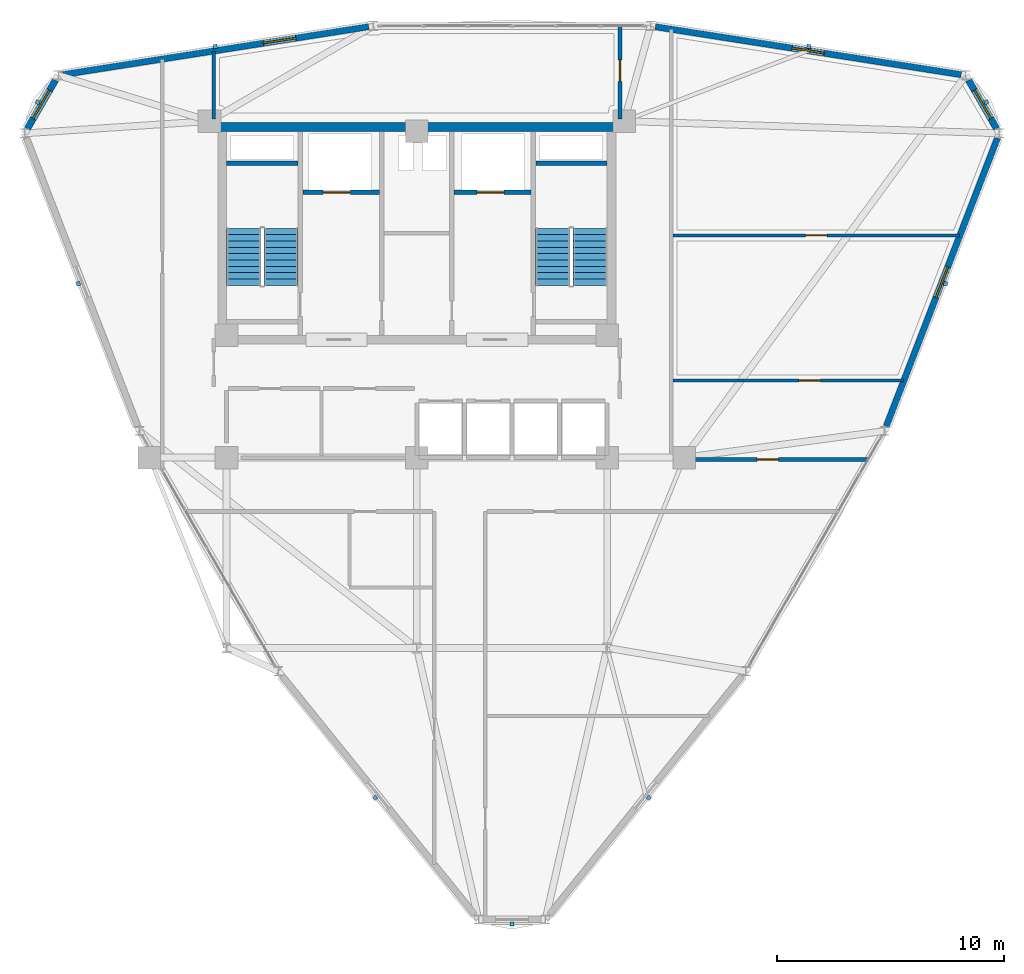
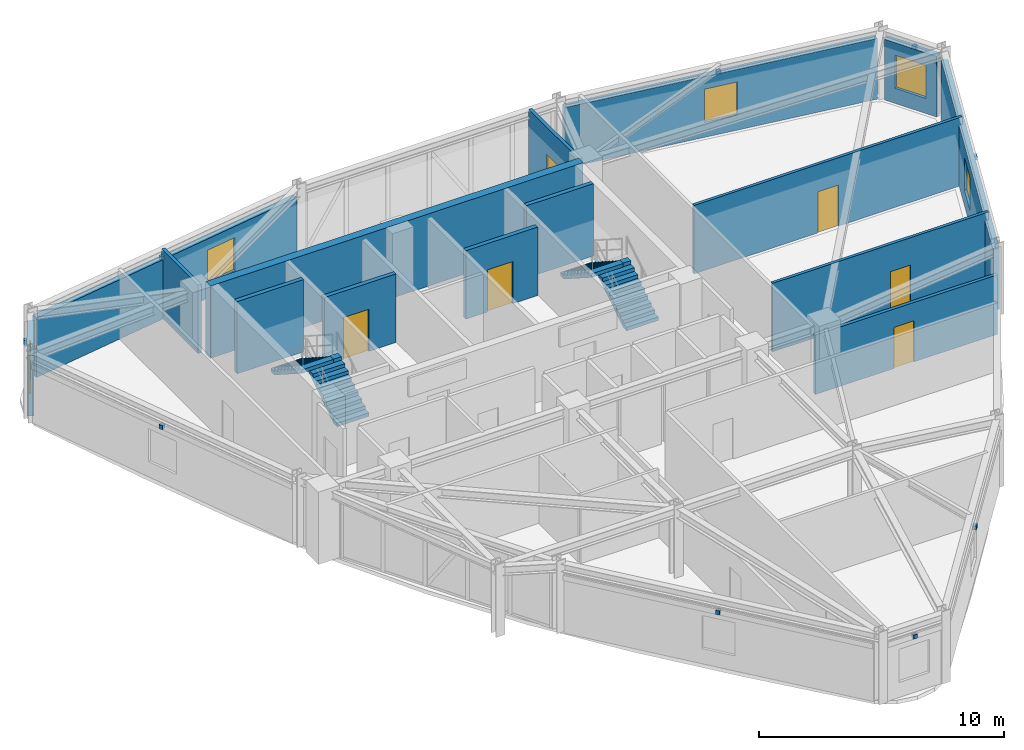
# One storey, part 14 of 16: 15 walls, 9 discrete accessories, 6 doors, 5 windows, 4 stair flights, 11 openings, 2 elements without a shape of their own.
"""IFC4 building model written with IfcOpenShell, lengths in metres."""

from ifc_helpers import new_model, si_unit, derived_unit, direction, frame, frame_2d, origin, origin_2d, place, context, subcontext, project, spatial, polyline, rectangle, outline, extrude, source, transform, mapped, material, layer, layer_set, type_object, element, fill, aggregate, save


model = new_model("IFC4")

# Units and contexts
model_context = context("Model", 3, precision=1e-05, world=origin(), true_north=direction((0.0, 1.0)))
body_context = subcontext(model_context, "Body", "Model", "MODEL_VIEW")
ifc_project = project(units=[si_unit("LENGTHUNIT", "METRE"), si_unit("AREAUNIT", "SQUARE_METRE"), si_unit("VOLUMEUNIT", "CUBIC_METRE"), si_unit("PLANEANGLEUNIT", "RADIAN"), si_unit("MASSUNIT", "GRAM", prefix="KILO"), derived_unit("THERMALTRANSMITTANCEUNIT", [(si_unit("POWERUNIT", "WATT"), 1), (si_unit("LENGTHUNIT", "METRE"), -2), (si_unit("THERMODYNAMICTEMPERATUREUNIT", "KELVIN"), -1)])], contexts=[model_context])

# Site, building, storey
site_placement = place(None, origin())
site = spatial("IfcSite", under=ifc_project, at=site_placement, CompositionType="ELEMENT")
building_placement = place(site_placement, origin())
building = spatial("IfcBuilding", under=site, at=building_placement, Name="Korsvarv Bourse and Concert Hall", CompositionType="ELEMENT")
storey_placement = place(building_placement, frame((0.0, 0.0, 220.199951171875)))
storey = spatial("IfcBuildingStorey", under=building, at=storey_placement, Name="L57", CompositionType="ELEMENT", Elevation=220.199951171875)

# Walls
ifc_material_1 = material(Name="Concrete C50/60", Category="concrete")
ifc_layer_1 = layer(ifc_material_1, 0.3798828125)
ifc_layer_set_1 = layer_set([ifc_layer_1], Name="Concrete C50/60")
wall_type_1 = type_object("IfcWallType", Name="WL-CORE-380", PredefinedType="SHEAR", material=ifc_layer_set_1)
wall_1_placement = place(storey_placement, frame((27.219970703125, 46.989990234375, 0.0), z_axis=(0.0, 0.0, 1.0), x_axis=(1.0, 0.0, 0.0)))
element("IfcWall", 1, at=wall_1_placement, inside=storey, type_object=wall_type_1, Name="L57 North Core Shear Wall", PredefinedType="SHEAR", context=body_context, shape_type="SweptSolid", body=[
    extrude(rectangle(XDim=17.56005859375, YDim=0.3798828125, at=frame_2d((8.780029296875, 0.0))), origin(), (0.0, 0.0, 1.0), 3.60009765625),
])
for number, where, z_axis, x_axis, name in (
    (2, (27.610107421875, 45.39990234375, 0.0), (0.0, 0.0, 1.0), (1.0, 0.0, 0.0), "L57 stair shaft structural wall W-L57-ST1-N"),
    (3, (41.25, 45.39990234375, 0.0), (0.0, 0.0, 1.0), (1.0, 0.0, 0.0), "L57 stair shaft structural wall W-L57-ST2-N"),
):
    element("IfcWall", number, at=place(storey_placement, frame(where, z_axis=z_axis, x_axis=x_axis)), inside=storey, type_object=wall_type_1, Name=name, PredefinedType="SHEAR", context=body_context, shape_type="SweptSolid", body=[
        extrude(rectangle(XDim=3.139892578125, YDim=0.199951171875, at=frame_2d((1.56982421875, 0.0))), origin(), (0.0, 0.0, 1.0), 3.60009765625),
    ])

# Wall, opening, window
ifc_material_2 = material(Name="Precast concrete C45/55 with terracotta rainscreen", Category="concrete")
ifc_layer_2 = layer(ifc_material_2, 0.300048828125)
ifc_layer_set_2 = layer_set([ifc_layer_2], Name="Precast concrete C45/55 with terracotta rainscreen")
wall_type_2 = type_object("IfcWallType", Name="WL-EXT-TC1", PredefinedType="SOLIDWALL", material=ifc_layer_set_2)
wall_2_placement = place(storey_placement, frame((61.583984375, 46.92138671875, 0.0), z_axis=(0.0, 0.0, 1.0), x_axis=(-0.499990780478, 0.866030726613, 0.0)))
wall_2 = element("IfcWall", 4, at=wall_2_placement, inside=storey, type_object=wall_type_2, Name="L57 terracotta exterior wall EW-L57-B01", PredefinedType="SOLIDWALL", context=body_context, shape_type="SweptSolid", body=[
    extrude(rectangle(XDim=2.4677734375, YDim=0.300048828125, at=frame_2d((1.23388671875, 0.0))), origin(), (0.0, 0.0, 1.0), 3.02001953125),
])
opening_1_placement = place(wall_2_placement, frame((0.5087890625, 0.0, 0.75)))
opening_1 = element("IfcOpeningElement", 5, at=opening_1_placement, cuts=wall_2, Name="Opening W-02", PredefinedType="OPENING", context=body_context, shape_type="SweptSolid", body=[
    extrude(rectangle(XDim=1.449951171875, YDim=1.64990234375, at=frame_2d((0.72509765625, 0.824951171875))), frame((0.0, 0.16015625, 0.0), z_axis=(0.0, -1.0, 0.0), x_axis=(1.0, 0.0, 0.0)), (0.0, 0.0, 1.0), 0.320068359375),
])
ifc_material_3 = material(Name="Thermally broken aluminium frame with triple low-E glass", Category="glass")
window_type = type_object("IfcWindowType", Name="WIN-TW2", PartitioningType="SINGLE_PANEL", PredefinedType="WINDOW", material=ifc_material_3)
window_1_placement = place(opening_1_placement, origin())
window_1 = element("IfcWindow", 6, at=window_1_placement, inside=storey, type_object=window_type, Name="L57 punched facade window W-02", OverallHeight=1.64990234375, OverallWidth=1.449951171875, PartitioningType="SINGLE_PANEL", PredefinedType="WINDOW", context=body_context, shape_type="SweptSolid", body=[
    extrude(rectangle(XDim=1.449951171875, YDim=1.64990234375, at=frame_2d((0.72509765625, 0.824951171875))), frame((0.0, 0.030029296875, 0.0), z_axis=(0.0, -1.0, 0.0), x_axis=(1.0, 0.0, 0.0)), (0.0, 0.0, 1.0), 0.06005859375),
])
fill(opening_1, window_1)

wall_3_placement = place(storey_placement, frame((20.0498046875, 49.05859375, 0.0), z_axis=(0.0, 0.0, 1.0), x_axis=(-0.499990780478, -0.866030726613, 0.0)))
wall_3 = element("IfcWall", 7, at=wall_3_placement, inside=storey, type_object=wall_type_2, Name="L57 terracotta exterior wall EW-L57-B05", PredefinedType="SOLIDWALL", context=body_context, shape_type="SweptSolid", body=[
    extrude(rectangle(XDim=2.4677734375, YDim=0.300048828125, at=frame_2d((1.23388671875, 0.0))), origin(), (0.0, 0.0, 1.0), 3.02001953125),
])
opening_2_placement = place(wall_3_placement, frame((0.5087890625, 0.0, 0.75)))
opening_2 = element("IfcOpeningElement", 8, at=opening_2_placement, cuts=wall_3, Name="Opening W-02", PredefinedType="OPENING", context=body_context, shape_type="SweptSolid", body=[
    extrude(rectangle(XDim=1.449951171875, YDim=1.64990234375, at=frame_2d((0.72509765625, 0.824951171875))), frame((0.0, 0.16015625, 0.0), z_axis=(0.0, -1.0, 0.0), x_axis=(1.0, 0.0, 0.0)), (0.0, 0.0, 1.0), 0.320068359375),
])
window_2_placement = place(opening_2_placement, origin())
window_2 = element("IfcWindow", 9, at=window_2_placement, inside=storey, type_object=window_type, Name="L57 punched facade window W-02", OverallHeight=1.64990234375, OverallWidth=1.449951171875, PartitioningType="SINGLE_PANEL", PredefinedType="WINDOW", context=body_context, shape_type="SweptSolid", body=[
    extrude(rectangle(XDim=1.449951171875, YDim=1.64990234375, at=frame_2d((0.72509765625, 0.824951171875))), frame((0.0, 0.030029296875, 0.0), z_axis=(0.0, -1.0, 0.0), x_axis=(1.0, 0.0, 0.0)), (0.0, 0.0, 1.0), 0.06005859375),
])
fill(opening_2, window_2)

ifc_material_4 = material(Name="Precast concrete C45/55 with fluted terracotta pier", Category="concrete")
ifc_layer_3 = layer(ifc_material_4, 0.280029296875)
ifc_layer_set_3 = layer_set([ifc_layer_3], Name="Precast concrete C45/55 with fluted terracotta pier")
wall_type_3 = type_object("IfcWallType", Name="WL-EXT-TC2", PredefinedType="SOLIDWALL", material=ifc_layer_set_3)
wall_4_placement = place(storey_placement, frame((60.019287109375, 49.30419921875, 0.0), z_axis=(0.0, 0.0, 1.0), x_axis=(-0.987957437721, 0.154725890697, 0.0)))
wall_4 = element("IfcWall", 10, at=wall_4_placement, inside=storey, type_object=wall_type_3, Name="L57 terracotta exterior wall EW-L57-B02", PredefinedType="SOLIDWALL", context=body_context, shape_type="SweptSolid", body=[
    extrude(rectangle(XDim=13.65673828125, YDim=0.280029296875, at=frame_2d((6.828369140625, 0.0))), origin(), (0.0, 0.0, 1.0), 3.02001953125),
])
opening_3_placement = place(wall_4_placement, frame((6.103271484375, 0.0, 0.75)))
opening_3 = element("IfcOpeningElement", 11, at=opening_3_placement, cuts=wall_4, Name="Opening W-02", PredefinedType="OPENING", context=body_context, shape_type="SweptSolid", body=[
    extrude(rectangle(XDim=1.449951171875, YDim=1.64990234375, at=frame_2d((0.72509765625, 0.824951171875))), frame((0.0, 0.14990234375, 0.0), z_axis=(0.0, -1.0, 0.0), x_axis=(1.0, 0.0, 0.0)), (0.0, 0.0, 1.0), 0.300048828125),
])
window_3_placement = place(opening_3_placement, origin())
window_3 = element("IfcWindow", 12, at=window_3_placement, inside=storey, type_object=window_type, Name="L57 punched facade window W-02", OverallHeight=1.64990234375, OverallWidth=1.449951171875, PartitioningType="SINGLE_PANEL", PredefinedType="WINDOW", context=body_context, shape_type="SweptSolid", body=[
    extrude(rectangle(XDim=1.449951171875, YDim=1.64990234375, at=frame_2d((0.72509765625, 0.824951171875))), frame((0.0, 0.030029296875, 0.0), z_axis=(0.0, -1.0, 0.0), x_axis=(1.0, 0.0, 0.0)), (0.0, 0.0, 1.0), 0.06005859375),
])
fill(opening_3, window_3)

wall_5_placement = place(storey_placement, frame((33.873046875, 51.417236328125, 0.0), z_axis=(0.0, 0.0, 1.0), x_axis=(-0.987957437721, -0.154725890697, 0.0)))
wall_5 = element("IfcWall", 13, at=wall_5_placement, inside=storey, type_object=wall_type_3, Name="L57 terracotta exterior wall EW-L57-B04", PredefinedType="SOLIDWALL", context=body_context, shape_type="SweptSolid", body=[
    extrude(rectangle(XDim=13.65673828125, YDim=0.280029296875, at=frame_2d((6.828369140625, 0.0))), origin(), (0.0, 0.0, 1.0), 2.9599609375),
])
opening_4_placement = place(wall_5_placement, frame((3.251708984375, 0.0, 0.75)))
opening_4 = element("IfcOpeningElement", 14, at=opening_4_placement, cuts=wall_5, Name="Opening W-02", PredefinedType="OPENING", context=body_context, shape_type="SweptSolid", body=[
    extrude(rectangle(XDim=1.449951171875, YDim=1.64990234375, at=frame_2d((0.72509765625, 0.824951171875))), frame((0.0, 0.14990234375, 0.0), z_axis=(0.0, -1.0, 0.0), x_axis=(1.0, 0.0, 0.0)), (0.0, 0.0, 1.0), 0.300048828125),
])
window_4_placement = place(opening_4_placement, origin())
window_4 = element("IfcWindow", 15, at=window_4_placement, inside=storey, type_object=window_type, Name="L57 punched facade window W-02", OverallHeight=1.64990234375, OverallWidth=1.449951171875, PartitioningType="SINGLE_PANEL", PredefinedType="WINDOW", context=body_context, shape_type="SweptSolid", body=[
    extrude(rectangle(XDim=1.449951171875, YDim=1.64990234375, at=frame_2d((0.72509765625, 0.824951171875))), frame((0.0, 0.030029296875, 0.0), z_axis=(0.0, -1.0, 0.0), x_axis=(1.0, 0.0, 0.0)), (0.0, 0.0, 1.0), 0.06005859375),
])
fill(opening_4, window_4)

wall_6_placement = place(storey_placement, frame((56.7216796875, 33.787109375, 0.0), z_axis=(0.0, 0.0, 1.0), x_axis=(0.359972142588, 0.932963052088, 0.0)))
wall_6 = element("IfcWall", 16, at=wall_6_placement, inside=storey, type_object=wall_type_3, Name="L57 terracotta exterior wall EW-L57-B12", PredefinedType="SOLIDWALL", context=body_context, shape_type="SweptSolid", body=[
    extrude(rectangle(XDim=13.621337890625, YDim=0.280029296875, at=frame_2d((6.810546875, 0.0))), origin(), (0.0, 0.0, 1.0), 3.02001953125),
])
opening_5_placement = place(wall_6_placement, frame((6.085693359375, 0.0, 0.75)))
opening_5 = element("IfcOpeningElement", 17, at=opening_5_placement, cuts=wall_6, Name="Opening W-02", PredefinedType="OPENING", context=body_context, shape_type="SweptSolid", body=[
    extrude(rectangle(XDim=1.449951171875, YDim=1.64990234375, at=frame_2d((0.72509765625, 0.824951171875))), frame((0.0, 0.14990234375, 0.0), z_axis=(0.0, -1.0, 0.0), x_axis=(1.0, 0.0, 0.0)), (0.0, 0.0, 1.0), 0.300048828125),
])
window_5_placement = place(opening_5_placement, origin())
window_5 = element("IfcWindow", 18, at=window_5_placement, inside=storey, type_object=window_type, Name="L57 punched facade window W-02", OverallHeight=1.64990234375, OverallWidth=1.449951171875, PartitioningType="SINGLE_PANEL", PredefinedType="WINDOW", context=body_context, shape_type="SweptSolid", body=[
    extrude(rectangle(XDim=1.449951171875, YDim=1.64990234375, at=frame_2d((0.72509765625, 0.824951171875))), frame((0.0, 0.030029296875, 0.0), z_axis=(0.0, -1.0, 0.0), x_axis=(1.0, 0.0, 0.0)), (0.0, 0.0, 1.0), 0.06005859375),
])
fill(opening_5, window_5)

# Wall, opening, door
ifc_material_5 = material(Name="Reinforced concrete blockwork C35/45 fire wall", Category="concrete")
ifc_layer_4 = layer(ifc_material_5, 0.199951171875)
ifc_layer_set_4 = layer_set([ifc_layer_4], Name="Reinforced concrete blockwork C35/45 fire wall")
wall_type_4 = type_object("IfcWallType", Name="WL-INT-EI120", PredefinedType="PARTITIONING", material=ifc_layer_set_4)
wall_7_placement = place(storey_placement, frame((30.969970703125, 44.10009765625, 0.0), z_axis=(0.0, 0.0, 1.0), x_axis=(1.0, 0.0, 0.0)))
wall_7 = element("IfcWall", 19, at=wall_7_placement, inside=storey, type_object=wall_type_4, Name="L57 interior partition wall W-L57-FF1-S", PredefinedType="PARTITIONING", context=body_context, shape_type="SweptSolid", body=[
    extrude(rectangle(XDim=3.380126953125, YDim=0.199951171875, at=frame_2d((1.68994140625, 0.0))), origin(), (0.0, 0.0, 1.0), 3.41015625),
])
opening_6_placement = place(wall_7_placement, frame((0.89990234375, 0.0, 0.0)))
opening_6 = element("IfcOpeningElement", 20, at=opening_6_placement, cuts=wall_7, Name="Opening LD-1", PredefinedType="OPENING", context=body_context, shape_type="SweptSolid", body=[
    extrude(rectangle(XDim=1.199951171875, YDim=2.10009765625, at=frame_2d((0.60009765625, 1.050048828125))), frame((0.0, 0.10986328125, 0.0), z_axis=(0.0, -1.0, 0.0), x_axis=(1.0, 0.0, 0.0)), (0.0, 0.0, 1.0), 0.219970703125),
])
ifc_material_6 = material(Name="Stainless Steel S355 firefighting lift landing door", Category="steel")
door_type_1 = type_object("IfcDoorType", Name="DR-LIFT-FF", OperationType="DOUBLE_DOOR_SLIDING", PredefinedType="DOOR", material=ifc_material_6)
door_1_placement = place(opening_6_placement, origin())
door_1 = element("IfcDoor", 21, at=door_1_placement, inside=storey, type_object=door_type_1, Name="L57 lift sliding landing door LD-L57-FF1", OperationType="DOUBLE_DOOR_SLIDING", OverallHeight=2.10009765625, OverallWidth=1.199951171875, PredefinedType="DOOR", context=body_context, shape_type="SweptSolid", body=[
    extrude(rectangle(XDim=1.199951171875, YDim=2.10009765625, at=frame_2d((0.60009765625, 1.050048828125))), frame((0.0, 0.02490234375, 0.0), z_axis=(0.0, -1.0, 0.0), x_axis=(1.0, 0.0, 0.0)), (0.0, 0.0, 1.0), 0.050048828125),
])
fill(opening_6, door_1)

wall_8_placement = place(storey_placement, frame((37.64990234375, 44.10009765625, 0.0), z_axis=(0.0, 0.0, 1.0), x_axis=(1.0, 0.0, 0.0)))
wall_8 = element("IfcWall", 22, at=wall_8_placement, inside=storey, type_object=wall_type_4, Name="L57 interior partition wall W-L57-FF2-S", PredefinedType="PARTITIONING", context=body_context, shape_type="SweptSolid", body=[
    extrude(rectangle(XDim=3.380126953125, YDim=0.199951171875, at=frame_2d((1.68994140625, 0.0))), origin(), (0.0, 0.0, 1.0), 3.41015625),
])
opening_7_placement = place(wall_8_placement, frame((1.0, 0.0, 0.0)))
opening_7 = element("IfcOpeningElement", 23, at=opening_7_placement, cuts=wall_8, Name="Opening LD-1", PredefinedType="OPENING", context=body_context, shape_type="SweptSolid", body=[
    extrude(rectangle(XDim=1.199951171875, YDim=2.10009765625, at=frame_2d((0.60009765625, 1.050048828125))), frame((0.0, 0.10986328125, 0.0), z_axis=(0.0, -1.0, 0.0), x_axis=(1.0, 0.0, 0.0)), (0.0, 0.0, 1.0), 0.219970703125),
])
door_2_placement = place(opening_7_placement, origin())
door_2 = element("IfcDoor", 24, at=door_2_placement, inside=storey, type_object=door_type_1, Name="L57 lift sliding landing door LD-L57-FF2", OperationType="DOUBLE_DOOR_SLIDING", OverallHeight=2.10009765625, OverallWidth=1.199951171875, PredefinedType="DOOR", context=body_context, shape_type="SweptSolid", body=[
    extrude(rectangle(XDim=1.199951171875, YDim=2.10009765625, at=frame_2d((0.60009765625, 1.050048828125))), frame((0.0, 0.02490234375, 0.0), z_axis=(0.0, -1.0, 0.0), x_axis=(1.0, 0.0, 0.0)), (0.0, 0.0, 1.0), 0.050048828125),
])
fill(opening_7, door_2)

ifc_material_7 = material(Name="Double-stud fire-rated acoustic partition", Category="gypsum")
ifc_layer_5 = layer(ifc_material_7, 0.159912109375)
ifc_layer_set_5 = layer_set([ifc_layer_5], Name="Double-stud fire-rated acoustic partition")
wall_type_5 = type_object("IfcWallType", Name="WL-INT-EI60", PredefinedType="PARTITIONING", material=ifc_layer_set_5)
wall_9_placement = place(storey_placement, frame((47.306884765625, 32.31494140625, 0.0), z_axis=(0.0, 0.0, 1.0), x_axis=(1.0, 0.0, 0.0)))
wall_9 = element("IfcWall", 25, at=wall_9_placement, inside=storey, type_object=wall_type_5, Name="L57 interior partition wall W-L57-TCOR-07", PredefinedType="PARTITIONING", context=body_context, shape_type="SweptSolid", body=[
    extrude(rectangle(XDim=8.585693359375, YDim=0.159912109375, at=frame_2d((4.29296875, 0.0))), origin(), (0.0, 0.0, 1.0), 2.9599609375),
])
opening_8_placement = place(wall_9_placement, frame((3.6982421875, 0.0, 0.0)))
opening_8 = element("IfcOpeningElement", 26, at=opening_8_placement, cuts=wall_9, Name="Opening D-02", PredefinedType="OPENING", context=body_context, shape_type="SweptSolid", body=[
    extrude(rectangle(XDim=0.949951171875, YDim=2.050048828125, at=frame_2d((0.47509765625, 1.02490234375))), frame((0.0, 0.08984375, 0.0), z_axis=(0.0, -1.0, 0.0), x_axis=(1.0, 0.0, 0.0)), (0.0, 0.0, 1.0), 0.179931640625),
])
ifc_material_8 = material(Name="Timber and steel acoustic fire door", Category="wood")
door_type_2 = type_object("IfcDoorType", Name="DR-FD30", OperationType="NOTDEFINED", PredefinedType="DOOR", material=ifc_material_8)
door_3_placement = place(opening_8_placement, origin())
door_3 = element("IfcDoor", 27, at=door_3_placement, inside=storey, type_object=door_type_2, Name="L57 interior door DR-L57-TCOR-EC31", OperationType="SINGLE_SWING_LEFT", OverallHeight=2.050048828125, OverallWidth=0.949951171875, PredefinedType="DOOR", context=body_context, shape_type="SweptSolid", body=[
    extrude(rectangle(XDim=0.949951171875, YDim=2.050048828125, at=frame_2d((0.47509765625, 1.02490234375))), frame((0.0, 0.02490234375, 0.0), z_axis=(0.0, -1.0, 0.0), x_axis=(1.0, 0.0, 0.0)), (0.0, 0.0, 1.0), 0.050048828125),
])
fill(opening_8, door_3)

wall_10_placement = place(storey_placement, frame((44.965087890625, 47.340087890625, 0.0), z_axis=(0.0, 0.0, 1.0), x_axis=(0.0, 1.0, 0.0)))
wall_10 = element("IfcWall", 28, at=wall_10_placement, inside=storey, type_object=wall_type_5, Name="L57 interior partition wall W-L57-TCOR-08", PredefinedType="PARTITIONING", context=body_context, shape_type="SweptSolid", body=[
    extrude(rectangle(XDim=4.08984375, YDim=0.159912109375, at=frame_2d((2.044921875, 0.0))), origin(), (0.0, 0.0, 1.0), 3.41015625),
])
opening_9_placement = place(wall_10_placement, frame((1.666015625, 0.0, 0.0)))
opening_9 = element("IfcOpeningElement", 29, at=opening_9_placement, cuts=wall_10, Name="Opening D-02", PredefinedType="OPENING", context=body_context, shape_type="SweptSolid", body=[
    extrude(rectangle(XDim=0.949951171875, YDim=2.050048828125, at=frame_2d((0.47509765625, 1.02490234375))), frame((0.0, 0.08984375, 0.0), z_axis=(0.0, -1.0, 0.0), x_axis=(1.0, 0.0, 0.0)), (0.0, 0.0, 1.0), 0.179931640625),
])
door_4_placement = place(opening_9_placement, origin())
door_4 = element("IfcDoor", 30, at=door_4_placement, inside=storey, type_object=door_type_2, Name="L57 interior door DR-L57-TCOR-EC56", OperationType="SINGLE_SWING_RIGHT", OverallHeight=2.050048828125, OverallWidth=0.949951171875, PredefinedType="DOOR", context=body_context, shape_type="SweptSolid", body=[
    extrude(rectangle(XDim=0.949951171875, YDim=2.050048828125, at=frame_2d((0.47509765625, 1.02490234375))), frame((0.0, 0.02490234375, 0.0), z_axis=(0.0, -1.0, 0.0), x_axis=(1.0, 0.0, 0.0)), (0.0, 0.0, 1.0), 0.050048828125),
])
fill(opening_9, door_4)

# Wall
wall_11_placement = place(storey_placement, frame((27.034912109375, 47.340087890625, 0.0), z_axis=(0.0, 0.0, 1.0), x_axis=(0.0, 1.0, 0.0)))
element("IfcWall", 31, at=wall_11_placement, inside=storey, type_object=wall_type_5, Name="L57 interior partition wall W-L57-TCOR-09", PredefinedType="PARTITIONING", context=body_context, shape_type="SweptSolid", body=[
    extrude(rectangle(XDim=2.986328125, YDim=0.159912109375, at=frame_2d((1.4931640625, 0.0))), origin(), (0.0, 0.0, 1.0), 3.41015625),
])

# Wall, opening, door
ifc_material_9 = material(Name="Insulated steel-stud office acoustic partition", Category="gypsum")
ifc_layer_6 = layer(ifc_material_9, 0.139892578125)
ifc_layer_set_6 = layer_set([ifc_layer_6], Name="Insulated steel-stud office acoustic partition")
wall_type_6 = type_object("IfcWallType", Name="WL-INT-P1", PredefinedType="PARTITIONING", material=ifc_layer_set_6)
wall_12_placement = place(storey_placement, frame((47.306884765625, 42.205078125, 0.0), z_axis=(0.0, 0.0, 1.0), x_axis=(1.0, 0.0, 0.0)))
wall_12 = element("IfcWall", 32, at=wall_12_placement, inside=storey, type_object=wall_type_6, Name="L57 interior partition wall W-L57-TCOR-10", PredefinedType="PARTITIONING", context=body_context, shape_type="SweptSolid", body=[
    extrude(rectangle(XDim=12.642578125, YDim=0.139892578125, at=frame_2d((6.3212890625, 0.0))), origin(), (0.0, 0.0, 1.0), 3.41015625),
])
opening_10_placement = place(wall_12_placement, frame((5.84619140625, 0.0, 0.0)))
opening_10 = element("IfcOpeningElement", 33, at=opening_10_placement, cuts=wall_12, Name="Opening D-03", PredefinedType="OPENING", context=body_context, shape_type="SweptSolid", body=[
    extrude(rectangle(XDim=0.949951171875, YDim=2.050048828125, at=frame_2d((0.47509765625, 1.02490234375))), frame((0.0, 0.080078125, 0.0), z_axis=(0.0, -1.0, 0.0), x_axis=(1.0, 0.0, 0.0)), (0.0, 0.0, 1.0), 0.159912109375),
])
ifc_material_10 = material(Name="Nordic oak acoustic office door", Category="wood")
door_type_3 = type_object("IfcDoorType", Name="DR-INT-1", OperationType="NOTDEFINED", PredefinedType="DOOR", material=ifc_material_10)
door_5_placement = place(opening_10_placement, origin())
door_5 = element("IfcDoor", 34, at=door_5_placement, inside=storey, type_object=door_type_3, Name="L57 interior door DR-L57-TCOR-EC73", OperationType="SINGLE_SWING_LEFT", OverallHeight=2.050048828125, OverallWidth=0.949951171875, PredefinedType="DOOR", context=body_context, shape_type="SweptSolid", body=[
    extrude(rectangle(XDim=0.949951171875, YDim=2.050048828125, at=frame_2d((0.47509765625, 1.02490234375))), frame((0.0, 0.02490234375, 0.0), z_axis=(0.0, -1.0, 0.0), x_axis=(1.0, 0.0, 0.0)), (0.0, 0.0, 1.0), 0.050048828125),
])
fill(opening_10, door_5)

wall_13_placement = place(storey_placement, frame((47.306884765625, 35.804931640625, 0.0), z_axis=(0.0, 0.0, 1.0), x_axis=(1.0, 0.0, 0.0)))
wall_13 = element("IfcWall", 35, at=wall_13_placement, inside=storey, type_object=wall_type_6, Name="L57 interior partition wall W-L57-TCOR-11", PredefinedType="PARTITIONING", context=body_context, shape_type="SweptSolid", body=[
    extrude(rectangle(XDim=10.17333984375, YDim=0.139892578125, at=frame_2d((5.086669921875, 0.0))), origin(), (0.0, 0.0, 1.0), 3.41015625),
])
opening_11_placement = place(wall_13_placement, frame((5.553466796875, 0.0, 0.0)))
opening_11 = element("IfcOpeningElement", 36, at=opening_11_placement, cuts=wall_13, Name="Opening D-03", PredefinedType="OPENING", context=body_context, shape_type="SweptSolid", body=[
    extrude(rectangle(XDim=0.949951171875, YDim=2.050048828125, at=frame_2d((0.47509765625, 1.02490234375))), frame((0.0, 0.080078125, 0.0), z_axis=(0.0, -1.0, 0.0), x_axis=(1.0, 0.0, 0.0)), (0.0, 0.0, 1.0), 0.159912109375),
])
door_6_placement = place(opening_11_placement, origin())
door_6 = element("IfcDoor", 37, at=door_6_placement, inside=storey, type_object=door_type_3, Name="L57 interior door DR-L57-TCOR-EC82", OperationType="SINGLE_SWING_RIGHT", OverallHeight=2.050048828125, OverallWidth=0.949951171875, PredefinedType="DOOR", context=body_context, shape_type="SweptSolid", body=[
    extrude(rectangle(XDim=0.949951171875, YDim=2.050048828125, at=frame_2d((0.47509765625, 1.02490234375))), frame((0.0, 0.02490234375, 0.0), z_axis=(0.0, -1.0, 0.0), x_axis=(1.0, 0.0, 0.0)), (0.0, 0.0, 1.0), 0.050048828125),
])
fill(opening_11, door_6)

# Stair, stair flights
ifc_material_11 = material(Name="Precast concrete C45/55", Category="concrete")
stair_type = type_object("IfcStairType", Name="STR-TYPE-04", PredefinedType="HALF_TURN_STAIR", material=ifc_material_11)
stair_1_placement = place(storey_placement, origin())
stair_1 = element("IfcStair", 38, at=stair_1_placement, inside=storey, type_object=stair_type, Name="L57 Tower West Exit Stair ST-T1", PredefinedType="HALF_TURN_STAIR")
stair_flight_type = type_object("IfcStairFlightType", Name="FLT-TYPE-04", PredefinedType="STRAIGHT", material=ifc_material_11)
stair_flight_1_placement = place(storey_placement, frame((30.010009765625, 40.0, 0.0), z_axis=(0.0, 0.0, 1.0), x_axis=(0.0, 1.0, 0.0)))
stair_flight_1 = element("IfcStairFlight", 39, at=stair_flight_1_placement, type_object=stair_flight_type, Name="ST-T1 flight 1", NumberOfRisers=10, NumberOfTreads=9, PredefinedType="STRAIGHT", RiserHeight=0.18, TreadLength=0.28, context=body_context, shape_type="SweptSolid", body=[
    extrude(outline(polyline([(0.0, 0.0), (0.0, 0.179931640625), (0.280029296875, 0.179931640625), (0.280029296875, 0.360107421875), (0.56005859375, 0.360107421875), (0.56005859375, 0.5400390625), (0.840087890625, 0.5400390625), (0.840087890625, 0.719970703125), (1.1201171875, 0.719970703125), (1.1201171875, 0.89990234375), (1.39990234375, 0.89990234375), (1.39990234375, 1.080078125), (1.679931640625, 1.080078125), (1.679931640625, 1.260009765625), (1.9599609375, 1.260009765625), (1.9599609375, 1.43994140625), (2.239990234375, 1.43994140625), (2.239990234375, 1.6201171875), (2.52001953125, 1.6201171875), (2.52001953125, 1.800048828125), (2.52001953125, 1.44189453125), (0.277099609375, 0.0), (0.0, 0.0)])), frame((0.0, 0.75, 0.0), z_axis=(0.0, -1.0, 0.0), x_axis=(1.0, 0.0, 0.0)), (0.0, 0.0, 1.0), 1.5),
])
stair_flight_2_placement = place(storey_placement, frame((28.35009765625, 42.52001953125, 1.800048828125), z_axis=(0.0, 0.0, 1.0), x_axis=(0.0, -1.0, 0.0)))
stair_flight_2 = element("IfcStairFlight", 40, at=stair_flight_2_placement, type_object=stair_flight_type, Name="ST-T1 flight 2", NumberOfRisers=10, NumberOfTreads=9, PredefinedType="STRAIGHT", RiserHeight=0.18, TreadLength=0.28, context=body_context, shape_type="SweptSolid", body=[
    extrude(outline(polyline([(0.0, 0.0), (0.0, 0.179931640625), (0.280029296875, 0.179931640625), (0.280029296875, 0.360107421875), (0.56005859375, 0.360107421875), (0.56005859375, 0.5400390625), (0.840087890625, 0.5400390625), (0.840087890625, 0.719970703125), (1.1201171875, 0.719970703125), (1.1201171875, 0.89990234375), (1.39990234375, 0.89990234375), (1.39990234375, 1.080078125), (1.679931640625, 1.080078125), (1.679931640625, 1.260009765625), (1.9599609375, 1.260009765625), (1.9599609375, 1.43994140625), (2.239990234375, 1.43994140625), (2.239990234375, 1.6201171875), (2.52001953125, 1.6201171875), (2.52001953125, 1.800048828125), (2.52001953125, 1.44189453125), (0.277099609375, 0.0), (0.0, 0.0)])), frame((0.0, 0.75, 0.0), z_axis=(0.0, -1.0, 0.0), x_axis=(1.0, 0.0, 0.0)), (0.0, 0.0, 1.0), 1.5),
])
aggregate(stair_1, [stair_flight_1, stair_flight_2])

stair_2_placement = place(storey_placement, origin())
stair_2 = element("IfcStair", 41, at=stair_2_placement, inside=storey, type_object=stair_type, Name="L57 Tower East Exit Stair ST-T2", PredefinedType="HALF_TURN_STAIR")
stair_flight_3_placement = place(storey_placement, frame((43.64990234375, 40.0, 0.0), z_axis=(0.0, 0.0, 1.0), x_axis=(0.0, 1.0, 0.0)))
stair_flight_3 = element("IfcStairFlight", 42, at=stair_flight_3_placement, type_object=stair_flight_type, Name="ST-T2 flight 1", NumberOfRisers=10, NumberOfTreads=9, PredefinedType="STRAIGHT", RiserHeight=0.18, TreadLength=0.28, context=body_context, shape_type="SweptSolid", body=[
    extrude(outline(polyline([(0.0, 0.0), (0.0, 0.179931640625), (0.280029296875, 0.179931640625), (0.280029296875, 0.360107421875), (0.56005859375, 0.360107421875), (0.56005859375, 0.5400390625), (0.840087890625, 0.5400390625), (0.840087890625, 0.719970703125), (1.1201171875, 0.719970703125), (1.1201171875, 0.89990234375), (1.39990234375, 0.89990234375), (1.39990234375, 1.080078125), (1.679931640625, 1.080078125), (1.679931640625, 1.260009765625), (1.9599609375, 1.260009765625), (1.9599609375, 1.43994140625), (2.239990234375, 1.43994140625), (2.239990234375, 1.6201171875), (2.52001953125, 1.6201171875), (2.52001953125, 1.800048828125), (2.52001953125, 1.44189453125), (0.277099609375, 0.0), (0.0, 0.0)])), frame((0.0, 0.75, 0.0), z_axis=(0.0, -1.0, 0.0), x_axis=(1.0, 0.0, 0.0)), (0.0, 0.0, 1.0), 1.5),
])
stair_flight_4_placement = place(storey_placement, frame((41.989990234375, 42.52001953125, 1.800048828125), z_axis=(0.0, 0.0, 1.0), x_axis=(0.0, -1.0, 0.0)))
stair_flight_4 = element("IfcStairFlight", 43, at=stair_flight_4_placement, type_object=stair_flight_type, Name="ST-T2 flight 2", NumberOfRisers=10, NumberOfTreads=9, PredefinedType="STRAIGHT", RiserHeight=0.18, TreadLength=0.28, context=body_context, shape_type="SweptSolid", body=[
    extrude(outline(polyline([(0.0, 0.0), (0.0, 0.179931640625), (0.280029296875, 0.179931640625), (0.280029296875, 0.360107421875), (0.56005859375, 0.360107421875), (0.56005859375, 0.5400390625), (0.840087890625, 0.5400390625), (0.840087890625, 0.719970703125), (1.1201171875, 0.719970703125), (1.1201171875, 0.89990234375), (1.39990234375, 0.89990234375), (1.39990234375, 1.080078125), (1.679931640625, 1.080078125), (1.679931640625, 1.260009765625), (1.9599609375, 1.260009765625), (1.9599609375, 1.43994140625), (2.239990234375, 1.43994140625), (2.239990234375, 1.6201171875), (2.52001953125, 1.6201171875), (2.52001953125, 1.800048828125), (2.52001953125, 1.44189453125), (0.277099609375, 0.0), (0.0, 0.0)])), frame((0.0, 0.75, 0.0), z_axis=(0.0, -1.0, 0.0), x_axis=(1.0, 0.0, 0.0)), (0.0, 0.0, 1.0), 1.5),
])
aggregate(stair_2, [stair_flight_3, stair_flight_4])

# Discrete accessories
ifc_material_12 = material(Name="Stainless Steel S355 facade outrigger bracket", Category="steel")
discrete_accessory_type = type_object("IfcDiscreteAccessoryType", Name="ACC-BRK-1", PredefinedType="BRACKET", material=ifc_material_12)
shared_shape = source(origin(), body_context, "Body", "SweptSolid", [
    extrude(rectangle(XDim=0.179931640625, YDim=0.179931640625, at=origin_2d()), origin(), (0.0, 0.0, 1.0), 0.199951171875),
])
for number, where, z_axis, x_axis, name in (
    (44, (61.131591796875, 48.0849609375, 2.76025390625), (0.0, 0.0, 1.0), (-0.5, 0.866025403784, 0.0), "L57 terracotta sunshade bracket EW-L57-B01"),
    (45, (53.301025390625, 50.53857421875, 2.76025390625), (0.0, 0.0, 1.0), (-0.987959865769, 0.154710386299, 0.0), "L57 terracotta sunshade bracket EW-L57-B02"),
    (46, (27.09912109375, 50.53857421875, 2.7001953125), (0.0, 0.0, 1.0), (-0.987959865769, -0.154710386299, 0.0), "L57 terracotta sunshade bracket EW-L57-B04"),
    (47, (19.268310546875, 48.0849609375, 2.76025390625), (0.0, 0.0, 1.0), (-0.5, -0.866025403784, 0.0), "L57 terracotta sunshade bracket EW-L57-B05"),
    (48, (21.058837890625, 40.076416015625, 2.76025390625), (0.0, 0.0, 1.0), (0.35999680812, -0.932953534825, 0.0), "L57 terracotta sunshade bracket EW-L57-B06"),
    (49, (34.15966796875, 17.385009765625, 2.7001953125), (0.0, 0.0, 1.0), (0.627963057649, -0.778243148526, 0.0), "L57 terracotta sunshade bracket EW-L57-B08"),
    (50, (40.199951171875, 11.830078125, 2.76025390625), (0.0, 0.0, 1.0), (1.0, 0.0, 0.0), "L57 terracotta sunshade bracket EW-L57-B09"),
    (51, (46.240234375, 17.385009765625, 2.7001953125), (0.0, 0.0, 1.0), (0.627963057649, 0.778243148526, 0.0), "L57 terracotta sunshade bracket EW-L57-B10"),
    (52, (59.34130859375, 40.076416015625, 2.76025390625), (0.0, 0.0, 1.0), (0.35999680812, 0.932953534825, 0.0), "L57 terracotta sunshade bracket EW-L57-B12"),
):
    element("IfcDiscreteAccessory", number, at=place(storey_placement, frame(where, z_axis=z_axis, x_axis=x_axis)), inside=storey, type_object=discrete_accessory_type, Name=name, PredefinedType="BRACKET", context=body_context, shape_type="MappedRepresentation", body=[
        mapped(shared_shape, transform((0.0, 0.0, 0.0), scale=1.0)),
    ])

save(model, "model.ifc")
